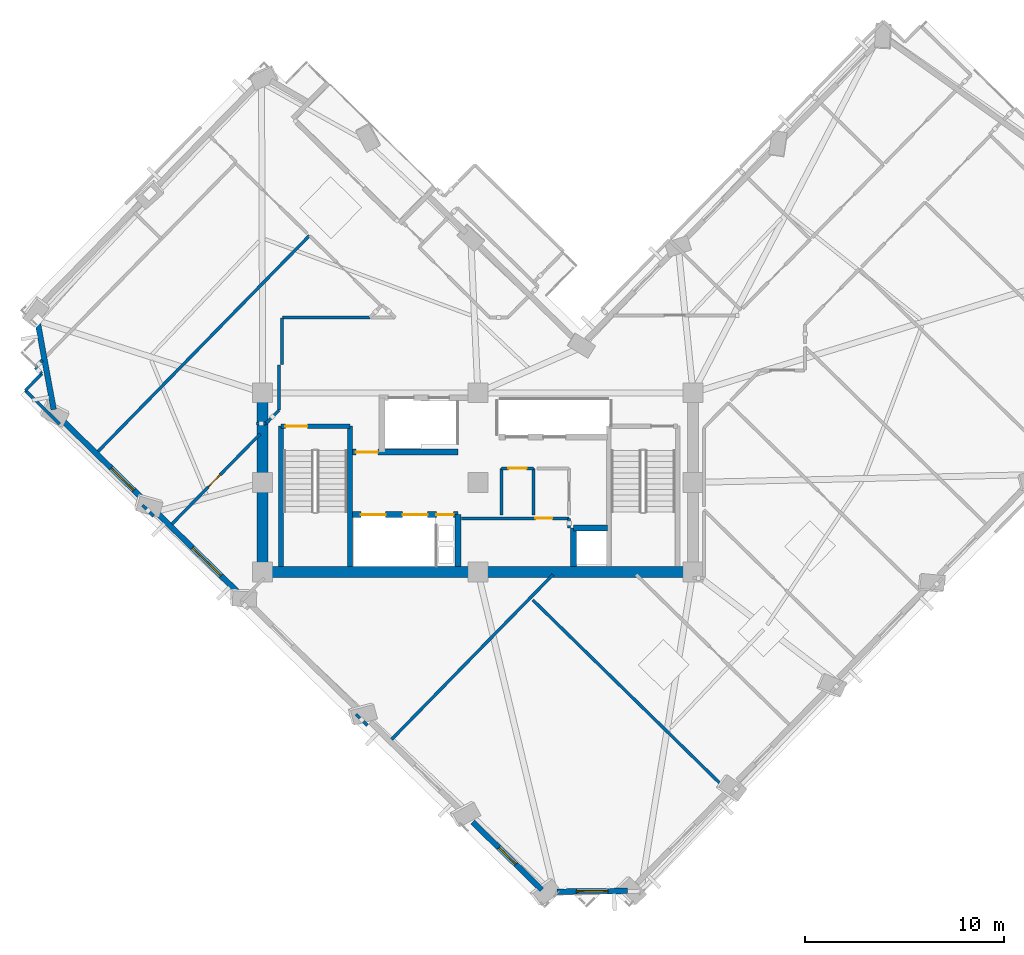
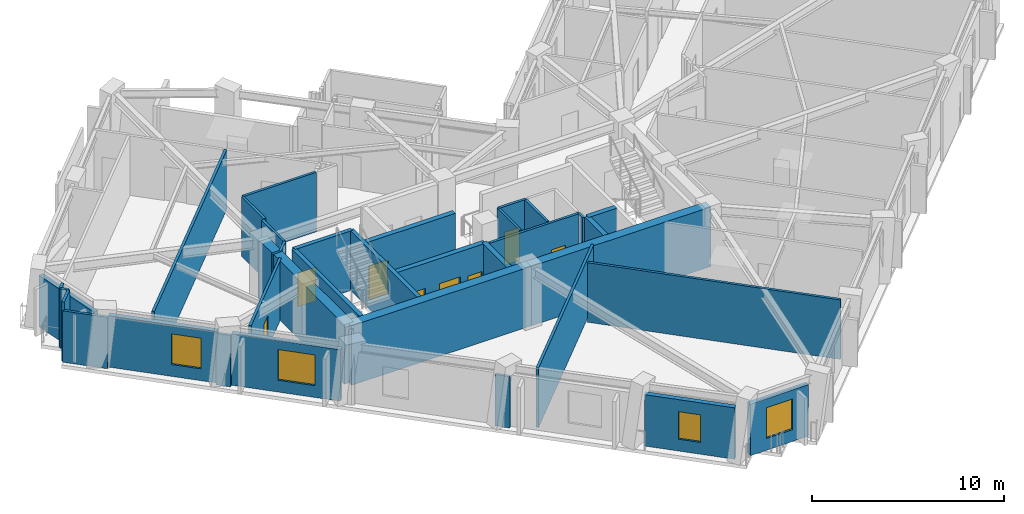
# One storey, part 4 of 12: 36 walls, 8 doors, 4 windows, 12 openings.
"""IFC4 building model written with IfcOpenShell, lengths in metres."""

from ifc_helpers import new_model, si_unit, direction, frame, frame_2d, origin, place, context, subcontext, project, spatial, rectangle, extrude, material, layer, layer_set, type_object, element, fill, save


model = new_model("IFC4")

# Units and contexts
model_context = context("Model", 3, precision=1e-05, world=origin(), true_north=direction((0.0, 1.0)))
body_context = subcontext(model_context, "Body", "Model", "MODEL_VIEW")
ifc_project = project(units=[si_unit("LENGTHUNIT", "METRE"), si_unit("AREAUNIT", "SQUARE_METRE"), si_unit("VOLUMEUNIT", "CUBIC_METRE"), si_unit("PLANEANGLEUNIT", "RADIAN"), si_unit("MASSUNIT", "GRAM", prefix="KILO")], contexts=[model_context])

# Site, building, storey
site_placement = place(None, origin())
site = spatial("IfcSite", under=ifc_project, at=site_placement, CompositionType="ELEMENT")
building_placement = place(site_placement, origin())
building = spatial("IfcBuilding", under=site, at=building_placement, Name="Gaonmaruhae Medical Tower", CompositionType="ELEMENT")
storey_placement = place(building_placement, frame((0.0, 0.0, 219.199951171875)))
storey = spatial("IfcBuildingStorey", under=building, at=storey_placement, Name="L52", CompositionType="ELEMENT", Elevation=219.199951171875)

# Walls
ifc_material_1 = material(Name="Concrete C50/60", Category="concrete")
ifc_layer_1 = layer(ifc_material_1, 0.550048828125)
ifc_layer_set_1 = layer_set([ifc_layer_1], Name="Concrete C50/60")
wall_type_1 = type_object("IfcWallType", Name="CW-550 Mid-High Core Shear Wall", PredefinedType="SHEAR", material=ifc_layer_set_1)
for number, where, z_axis, x_axis, name in (
    (1, (14.0, 7.800048828125, 0.0), (0.0, 0.0, 1.0), (1.0, 0.0, 0.0), "L52 Core Shear Wall CSW-S1"),
    (2, (24.800048828125, 7.800048828125, 0.0), (0.0, 0.0, 1.0), (1.0, 0.0, 0.0), "L52 Core Shear Wall CSW-S2"),
):
    element("IfcWall", number, at=place(storey_placement, frame(where, z_axis=z_axis, x_axis=x_axis)), inside=storey, type_object=wall_type_1, Name=name, PredefinedType="SHEAR", context=body_context, shape_type="SweptSolid", body=[
        extrude(rectangle(XDim=10.800048828125, YDim=0.550048828125, at=frame_2d((5.39990234375, 0.0))), origin(), (0.0, 0.0, 1.0), 3.780029296875),
    ])
wall_1_placement = place(storey_placement, frame((14.0, 16.800048828125, 0.0), z_axis=(0.0, 0.0, 1.0), x_axis=(0.0, -1.0, 0.0)))
element("IfcWall", 3, at=wall_1_placement, inside=storey, type_object=wall_type_1, Name="L52 Core Shear Wall CSW-W1", PredefinedType="SHEAR", context=body_context, shape_type="SweptSolid", body=[
    extrude(rectangle(XDim=9.0, YDim=0.550048828125, at=frame_2d((4.5, 0.0))), origin(), (0.0, 0.0, 1.0), 3.780029296875),
])
ifc_material_2 = material(Name="Precast concrete C45/55", Category="concrete")
ifc_layer_2 = layer(ifc_material_2, 0.280029296875)
ifc_layer_set_2 = layer_set([ifc_layer_2], Name="Precast concrete C45/55")
wall_type_2 = type_object("IfcWallType", Name="EW-280 Upper Precast Masonry-Frame Facade Wall", PredefinedType="SOLIDWALL", material=ifc_layer_set_2)
wall_2_placement = place(storey_placement, frame((3.509521484375, 15.95849609375, 0.0), z_axis=(0.0, 0.0, 1.0), x_axis=(-0.180230519559, 0.983624399768, 0.0)))
element("IfcWall", 4, at=wall_2_placement, inside=storey, type_object=wall_type_2, Name="L52 Precast Masonry-Frame Wall N03-W01", PredefinedType="SOLIDWALL", context=body_context, shape_type="SweptSolid", body=[
    extrude(rectangle(XDim=4.407958984375, YDim=0.280029296875, at=frame_2d((2.2041015625, 0.0))), origin(), (0.0, 0.0, 1.0), 3.26513671875),
])

# Wall, opening, window
wall_3_placement = place(storey_placement, frame((8.133056640625, 11.319091796875, 0.0), z_axis=(0.0, 0.0, 1.0), x_axis=(-0.714479464063, 0.699656412414, 0.0)))
wall_3 = element("IfcWall", 5, at=wall_3_placement, inside=storey, type_object=wall_type_2, Name="L52 Precast Masonry-Frame Wall W01-W02", PredefinedType="SOLIDWALL", context=body_context, shape_type="SweptSolid", body=[
    extrude(rectangle(XDim=5.83056640625, YDim=0.280029296875, at=frame_2d((2.915283203125, 0.0))), origin(), (0.0, 0.0, 1.0), 3.26513671875),
])
opening_1_placement = place(wall_3_placement, frame((0.840087890625, 0.0, 0.75)))
opening_1 = element("IfcOpeningElement", 6, at=opening_1_placement, cuts=wall_3, Name="Opening WN-01", PredefinedType="OPENING", context=body_context, shape_type="SweptSolid", body=[
    extrude(rectangle(XDim=1.60009765625, YDim=1.949951171875, at=frame_2d((0.800048828125, 0.97509765625))), frame((0.0, 0.14990234375, 0.0), z_axis=(0.0, -1.0, 0.0), x_axis=(1.0, 0.0, 0.0)), (0.0, 0.0, 1.0), 0.300048828125),
])
ifc_material_3 = material(Name="Anodised aluminium and Low-E double glazing", Category="aluminium")
window_type_1 = type_object("IfcWindowType", Name="WN-01 Ward Punched Acoustic Window 1600x1950", PartitioningType="SINGLE_PANEL", PredefinedType="WINDOW", material=ifc_material_3)
window_1_placement = place(opening_1_placement, origin())
window_1 = element("IfcWindow", 7, at=window_1_placement, inside=storey, type_object=window_type_1, Name="L52 Modular Facade Window W01", OverallHeight=1.949951171875, OverallWidth=1.60009765625, PartitioningType="SINGLE_PANEL", PredefinedType="WINDOW", context=body_context, shape_type="SweptSolid", body=[
    extrude(rectangle(XDim=1.60009765625, YDim=1.949951171875, at=frame_2d((0.800048828125, 0.97509765625))), frame((0.0, 0.030029296875, 0.0), z_axis=(0.0, -1.0, 0.0), x_axis=(1.0, 0.0, 0.0)), (0.0, 0.0, 1.0), 0.06005859375),
])
fill(opening_1, window_1)

wall_4_placement = place(storey_placement, frame((12.8798828125, 6.670654296875, 0.0), z_axis=(0.0, 0.0, 1.0), x_axis=(-0.714482661458, 0.699653147263, 0.0)))
wall_4 = element("IfcWall", 8, at=wall_4_placement, inside=storey, type_object=wall_type_2, Name="L52 Precast Masonry-Frame Wall W02-W03", PredefinedType="SOLIDWALL", context=body_context, shape_type="SweptSolid", body=[
    extrude(rectangle(XDim=5.86083984375, YDim=0.280029296875, at=frame_2d((2.930419921875, 0.0))), origin(), (0.0, 0.0, 1.0), 3.26513671875),
])
opening_2_placement = place(wall_4_placement, frame((1.3603515625, 0.0, 0.75)))
opening_2 = element("IfcOpeningElement", 9, at=opening_2_placement, cuts=wall_4, Name="Opening WN-02", PredefinedType="OPENING", context=body_context, shape_type="SweptSolid", body=[
    extrude(rectangle(XDim=2.0, YDim=1.949951171875, at=frame_2d((1.0, 0.97509765625))), frame((0.0, 0.14990234375, 0.0), z_axis=(0.0, -1.0, 0.0), x_axis=(1.0, 0.0, 0.0)), (0.0, 0.0, 1.0), 0.300048828125),
])
window_type_2 = type_object("IfcWindowType", Name="WN-02 Double-Bed Ward Punched Window 2000x1950", PartitioningType="SINGLE_PANEL", PredefinedType="WINDOW", material=ifc_material_3)
window_2_placement = place(opening_2_placement, origin())
window_2 = element("IfcWindow", 10, at=window_2_placement, inside=storey, type_object=window_type_2, Name="L52 Modular Facade Window W02", OverallHeight=1.949951171875, OverallWidth=2.0, PartitioningType="SINGLE_PANEL", PredefinedType="WINDOW", context=body_context, shape_type="SweptSolid", body=[
    extrude(rectangle(XDim=2.0, YDim=1.949951171875, at=frame_2d((1.0, 0.97509765625))), frame((0.0, 0.030029296875, 0.0), z_axis=(0.0, -1.0, 0.0), x_axis=(1.0, 0.0, 0.0)), (0.0, 0.0, 1.0), 0.06005859375),
])
fill(opening_2, window_2)

wall_5_placement = place(storey_placement, frame((28.01416015625, -8.14990234375, 0.0), z_axis=(0.0, 0.0, 1.0), x_axis=(-0.714484244096, 0.699651531077, 0.0)))
wall_5 = element("IfcWall", 11, at=wall_5_placement, inside=storey, type_object=wall_type_2, Name="L52 Precast Masonry-Frame Wall W05-W06", PredefinedType="SOLIDWALL", context=body_context, shape_type="SweptSolid", body=[
    extrude(rectangle(XDim=4.85546875, YDim=0.280029296875, at=frame_2d((2.427734375, 0.0))), origin(), (0.0, 0.0, 1.0), 3.26513671875),
])
opening_3_placement = place(wall_5_placement, frame((1.83251953125, 0.0, 0.75)))
opening_3 = element("IfcOpeningElement", 12, at=opening_3_placement, cuts=wall_5, Name="Opening WN-05", PredefinedType="OPENING", context=body_context, shape_type="SweptSolid", body=[
    extrude(rectangle(XDim=1.199951171875, YDim=1.75, at=frame_2d((0.60009765625, 0.875))), frame((0.0, 0.14990234375, 0.0), z_axis=(0.0, -1.0, 0.0), x_axis=(1.0, 0.0, 0.0)), (0.0, 0.0, 1.0), 0.300048828125),
])
window_type_3 = type_object("IfcWindowType", Name="WN-05 Support & Staff Punched Window 1200x1750", PartitioningType="SINGLE_PANEL", PredefinedType="WINDOW", material=ifc_material_3)
window_3_placement = place(opening_3_placement, origin())
window_3 = element("IfcWindow", 13, at=window_3_placement, inside=storey, type_object=window_type_3, Name="L52 Modular Facade Window W05", OverallHeight=1.75, OverallWidth=1.199951171875, PartitioningType="SINGLE_PANEL", PredefinedType="WINDOW", context=body_context, shape_type="SweptSolid", body=[
    extrude(rectangle(XDim=1.199951171875, YDim=1.75, at=frame_2d((0.60009765625, 0.875))), frame((0.0, 0.030029296875, 0.0), z_axis=(0.0, -1.0, 0.0), x_axis=(1.0, 0.0, 0.0)), (0.0, 0.0, 1.0), 0.06005859375),
])
fill(opening_3, window_3)

wall_6_placement = place(storey_placement, frame((32.301513671875, -8.201904296875, 0.0), z_axis=(0.0, 0.0, 1.0), x_axis=(-0.99994518525, -0.010470267178, 0.0)))
wall_6 = element("IfcWall", 14, at=wall_6_placement, inside=storey, type_object=wall_type_2, Name="L52 Precast Masonry-Frame Wall W06-S01", PredefinedType="SOLIDWALL", context=body_context, shape_type="SweptSolid", body=[
    extrude(rectangle(XDim=3.52099609375, YDim=0.280029296875, at=frame_2d((1.760498046875, 0.0))), origin(), (0.0, 0.0, 1.0), 3.26513671875),
])
opening_4_placement = place(wall_6_placement, frame((0.959716796875, 0.0, 0.75)))
opening_4 = element("IfcOpeningElement", 15, at=opening_4_placement, cuts=wall_6, Name="Opening WN-01", PredefinedType="OPENING", context=body_context, shape_type="SweptSolid", body=[
    extrude(rectangle(XDim=1.60009765625, YDim=1.949951171875, at=frame_2d((0.800048828125, 0.97509765625))), frame((0.0, 0.14990234375, 0.0), z_axis=(0.0, -1.0, 0.0), x_axis=(1.0, 0.0, 0.0)), (0.0, 0.0, 1.0), 0.300048828125),
])
window_4_placement = place(opening_4_placement, origin())
window_4 = element("IfcWindow", 16, at=window_4_placement, inside=storey, type_object=window_type_1, Name="L52 Modular Facade Window W06", OverallHeight=1.949951171875, OverallWidth=1.60009765625, PartitioningType="SINGLE_PANEL", PredefinedType="WINDOW", context=body_context, shape_type="SweptSolid", body=[
    extrude(rectangle(XDim=1.60009765625, YDim=1.949951171875, at=frame_2d((0.800048828125, 0.97509765625))), frame((0.0, 0.030029296875, 0.0), z_axis=(0.0, -1.0, 0.0), x_axis=(1.0, 0.0, 0.0)), (0.0, 0.0, 1.0), 0.06005859375),
])
fill(opening_4, window_4)

# Wall, opening, door
ifc_material_4 = material(Name="Gypsum board partition", Category="gypsum")
ifc_layer_3 = layer(ifc_material_4, 0.14990234375)
ifc_layer_set_3 = layer_set([ifc_layer_3], Name="Gypsum board partition")
wall_type_3 = type_object("IfcWallType", Name="PW-150 Rated Clinical Corridor Partition", PredefinedType="PARTITIONING", material=ifc_layer_set_3)
wall_7_placement = place(storey_placement, frame((23.97998046875, 10.5, 0.0), z_axis=(0.0, 0.0, 1.0), x_axis=(1.0, 0.0, 0.0)))
wall_7 = element("IfcWall", 17, at=wall_7_placement, inside=storey, type_object=wall_type_3, Name="L52 Interior Partition L52-RCL1-1", PredefinedType="PARTITIONING", context=body_context, shape_type="SweptSolid", body=[
    extrude(rectangle(XDim=5.39990234375, YDim=0.14990234375, at=frame_2d((2.699951171875, 0.0))), origin(), (0.0, 0.0, 1.0), 3.780029296875),
])
opening_5_placement = place(wall_7_placement, frame((3.702880859375, 0.0, 0.0)))
opening_5 = element("IfcOpeningElement", 18, at=opening_5_placement, cuts=wall_7, Name="Opening AD-01", PredefinedType="OPENING", context=body_context, shape_type="SweptSolid", body=[
    extrude(rectangle(XDim=0.860107421875, YDim=2.06005859375, at=frame_2d((0.43017578125, 1.030029296875))), frame((0.0, 0.0849609375, 0.0), z_axis=(0.0, -1.0, 0.0), x_axis=(1.0, 0.0, 0.0)), (0.0, 0.0, 1.0), 0.169921875),
])
ifc_material_5 = material(Name="Powder-coated steel access door", Category="steel")
door_type_1 = type_object("IfcDoorType", Name="AD-01 Riser & Closet Access Fire Door 860x2060", OperationType="NOTDEFINED", PredefinedType="DOOR", material=ifc_material_5)
door_1_placement = place(opening_5_placement, origin())
door_1 = element("IfcDoor", 19, at=door_1_placement, inside=storey, type_object=door_type_1, Name="L52 Biomedical Infusion Preparation Room Sliding Door", OperationType="SLIDING_TO_LEFT", OverallHeight=2.06005859375, OverallWidth=0.860107421875, PredefinedType="DOOR", context=body_context, shape_type="SweptSolid", body=[
    extrude(rectangle(XDim=0.860107421875, YDim=2.06005859375, at=frame_2d((0.43017578125, 1.030029296875))), frame((0.0, 0.02490234375, 0.0), z_axis=(0.0, -1.0, 0.0), x_axis=(1.0, 0.0, 0.0)), (0.0, 0.0, 1.0), 0.050048828125),
])
fill(opening_5, door_1)

# Walls
wall_8_placement = place(storey_placement, frame((29.3798828125, 10.5, 0.0), z_axis=(0.0, 0.0, 1.0), x_axis=(0.0, -1.0, 0.0)))
element("IfcWall", 20, at=wall_8_placement, inside=storey, type_object=wall_type_3, Name="L52 Interior Partition L52-RCL1-2", PredefinedType="PARTITIONING", context=body_context, shape_type="SweptSolid", body=[
    extrude(rectangle(XDim=0.47998046875, YDim=0.14990234375, at=frame_2d((0.239990234375, 0.0))), origin(), (0.0, 0.0, 1.0), 3.780029296875),
])
wall_9_placement = place(storey_placement, frame((25.97998046875, 10.659912109375, 0.0), z_axis=(0.0, 0.0, 1.0), x_axis=(0.0, 1.0, 0.0)))
element("IfcWall", 21, at=wall_9_placement, inside=storey, type_object=wall_type_3, Name="L52 Interior Partition L52-CS1-3", PredefinedType="PARTITIONING", context=body_context, shape_type="SweptSolid", body=[
    extrude(rectangle(XDim=2.340087890625, YDim=0.14990234375, at=frame_2d((1.169921875, 0.0))), origin(), (0.0, 0.0, 1.0), 3.780029296875),
])

# Wall, opening, door
wall_10_placement = place(storey_placement, frame((25.97998046875, 13.0, 0.0), z_axis=(0.0, 0.0, 1.0), x_axis=(1.0, 0.0, 0.0)))
wall_10 = element("IfcWall", 22, at=wall_10_placement, inside=storey, type_object=wall_type_3, Name="L52 Interior Partition L52-CS1-4", PredefinedType="PARTITIONING", context=body_context, shape_type="SweptSolid", body=[
    extrude(rectangle(XDim=1.6201171875, YDim=0.14990234375, at=frame_2d((0.81005859375, 0.0))), origin(), (0.0, 0.0, 1.0), 3.780029296875),
])
opening_6_placement = place(wall_10_placement, frame((0.35009765625, 0.0, 0.0)))
opening_6 = element("IfcOpeningElement", 23, at=opening_6_placement, cuts=wall_10, Name="Opening UD-01", PredefinedType="OPENING", context=body_context, shape_type="SweptSolid", body=[
    extrude(rectangle(XDim=0.919921875, YDim=2.10009765625, at=frame_2d((0.4599609375, 1.050048828125))), frame((0.0, 0.0849609375, 0.0), z_axis=(0.0, -1.0, 0.0), x_axis=(1.0, 0.0, 0.0)), (0.0, 0.0, 1.0), 0.169921875),
])
ifc_material_6 = material(Name="Powder-coated steel utility door", Category="steel")
door_type_2 = type_object("IfcDoorType", Name="UD-01 Toilet, Utility & Housekeeping Door 920x2100", OperationType="NOTDEFINED", PredefinedType="DOOR", material=ifc_material_6)
door_2_placement = place(opening_6_placement, origin())
door_2 = element("IfcDoor", 24, at=door_2_placement, inside=storey, type_object=door_type_2, Name="L52 Accessible Staff Toilet Door", OperationType="SINGLE_SWING_RIGHT", OverallHeight=2.10009765625, OverallWidth=0.919921875, PredefinedType="DOOR", context=body_context, shape_type="SweptSolid", body=[
    extrude(rectangle(XDim=0.919921875, YDim=2.10009765625, at=frame_2d((0.4599609375, 1.050048828125))), frame((0.0, 0.02490234375, 0.0), z_axis=(0.0, -1.0, 0.0), x_axis=(1.0, 0.0, 0.0)), (0.0, 0.0, 1.0), 0.050048828125),
])
fill(opening_6, door_2)

# Walls
wall_11_placement = place(storey_placement, frame((27.60009765625, 13.0, 0.0), z_axis=(0.0, 0.0, 1.0), x_axis=(0.0, -1.0, 0.0)))
element("IfcWall", 25, at=wall_11_placement, inside=storey, type_object=wall_type_3, Name="L52 Interior Partition L52-CS1-5", PredefinedType="PARTITIONING", context=body_context, shape_type="SweptSolid", body=[
    extrude(rectangle(XDim=2.340087890625, YDim=0.14990234375, at=frame_2d((1.169921875, 0.0))), origin(), (0.0, 0.0, 1.0), 3.780029296875),
])
wall_12_placement = place(storey_placement, frame((37.259033203125, -3.10107421875, 0.0), z_axis=(0.0, 0.0, 1.0), x_axis=(-0.714463260908, 0.699672958469, 0.0)))
element("IfcWall", 26, at=wall_12_placement, inside=storey, type_object=wall_type_3, Name="L52 Interior Partition L52-SUP03-9", PredefinedType="PARTITIONING", context=body_context, shape_type="SweptSolid", body=[
    extrude(rectangle(XDim=13.585205078125, YDim=0.14990234375, at=frame_2d((6.79248046875, 0.0))), origin(), (0.0, 0.0, 1.0), 3.780029296875),
])
wall_13_placement = place(storey_placement, frame((19.25, 0.111083984375, 0.0), z_axis=(0.0, 0.0, 1.0), x_axis=(-0.714658877376, 0.699473151013, 0.0)))
element("IfcWall", 27, at=wall_13_placement, inside=storey, type_object=wall_type_3, Name="L52 Interior Partition L52-WOF10-36", PredefinedType="PARTITIONING", context=body_context, shape_type="SweptSolid", body=[
    extrude(rectangle(XDim=0.787841796875, YDim=0.14990234375, at=frame_2d((0.39404296875, 0.0))), origin(), (0.0, 0.0, 1.0), 3.26513671875),
])
wall_14_placement = place(storey_placement, frame((28.572998046875, 7.675048828125, 0.0), z_axis=(0.0, 0.0, 1.0), x_axis=(-0.699638018891, -0.714497475519, 0.0)))
element("IfcWall", 28, at=wall_14_placement, inside=storey, type_object=wall_type_3, Name="L52 Interior Partition L52-WOF10-38", PredefinedType="PARTITIONING", context=body_context, shape_type="SweptSolid", body=[
    extrude(rectangle(XDim=11.583251953125, YDim=0.14990234375, at=frame_2d((5.79150390625, 0.0))), origin(), (0.0, 0.0, 1.0), 3.780029296875),
])

# Wall, opening, door
wall_15_placement = place(storey_placement, frame((9.43798828125, 10.202880859375, 0.0), z_axis=(0.0, 0.0, 1.0), x_axis=(0.699657139169, 0.714478752385, 0.0)))
wall_15 = element("IfcWall", 29, at=wall_15_placement, inside=storey, type_object=wall_type_3, Name="L52 Interior Partition L52-WOF12-41", PredefinedType="PARTITIONING", context=body_context, shape_type="SweptSolid", body=[
    extrude(rectangle(XDim=6.341796875, YDim=0.14990234375, at=frame_2d((3.1708984375, 0.0))), origin(), (0.0, 0.0, 1.0), 3.780029296875),
])
opening_7_placement = place(wall_15_placement, frame((2.61572265625, 0.0, 0.0)))
opening_7 = element("IfcOpeningElement", 30, at=opening_7_placement, cuts=wall_15, Name="Opening AD-01", PredefinedType="OPENING", context=body_context, shape_type="SweptSolid", body=[
    extrude(rectangle(XDim=0.860107421875, YDim=2.06005859375, at=frame_2d((0.43017578125, 1.030029296875))), frame((0.0, 0.0849609375, 0.0), z_axis=(0.0, -1.0, 0.0), x_axis=(1.0, 0.0, 0.0)), (0.0, 0.0, 1.0), 0.169921875),
])
door_3_placement = place(opening_7_placement, origin())
door_3 = element("IfcDoor", 31, at=door_3_placement, inside=storey, type_object=door_type_1, Name="L52 Ward Physician Reporting Office Sliding Door", OperationType="SLIDING_TO_LEFT", OverallHeight=2.06005859375, OverallWidth=0.860107421875, PredefinedType="DOOR", context=body_context, shape_type="SweptSolid", body=[
    extrude(rectangle(XDim=0.860107421875, YDim=2.06005859375, at=frame_2d((0.43017578125, 1.030029296875))), frame((0.0, 0.02490234375, 0.0), z_axis=(0.0, -1.0, 0.0), x_axis=(1.0, 0.0, 0.0)), (0.0, 0.0, 1.0), 0.050048828125),
])
fill(opening_7, door_3)

# Walls
wall_16_placement = place(storey_placement, frame((14.969970703125, 20.550048828125, 0.0), z_axis=(0.0, 0.0, 1.0), x_axis=(0.0, -1.0, 0.0)))
element("IfcWall", 32, at=wall_16_placement, inside=storey, type_object=wall_type_3, Name="L52 Interior Partition L52-WOF13-42", PredefinedType="PARTITIONING", context=body_context, shape_type="SweptSolid", body=[
    extrude(rectangle(XDim=2.320068359375, YDim=0.14990234375, at=frame_2d((1.16015625, 0.0))), origin(), (0.0, 0.0, 1.0), 3.780029296875),
])
wall_17_placement = place(storey_placement, frame((14.820068359375, 18.199951171875, 0.0), z_axis=(0.0, 0.0, 1.0), x_axis=(0.0, -1.0, 0.0)))
element("IfcWall", 33, at=wall_17_placement, inside=storey, type_object=wall_type_3, Name="L52 Interior Partition L52-WOF13-43", PredefinedType="PARTITIONING", context=body_context, shape_type="SweptSolid", body=[
    extrude(rectangle(XDim=2.27294921875, YDim=0.14990234375, at=frame_2d((1.136474609375, 0.0))), origin(), (0.0, 0.0, 1.0), 3.780029296875),
])
wall_18_placement = place(storey_placement, frame((14.820068359375, 15.927001953125, 0.0), z_axis=(0.0, 0.0, 1.0), x_axis=(-0.700147182602, -0.713998545303, 0.0)))
element("IfcWall", 34, at=wall_18_placement, inside=storey, type_object=wall_type_3, Name="L52 Interior Partition L52-WOF13-44", PredefinedType="PARTITIONING", context=body_context, shape_type="SweptSolid", body=[
    extrude(rectangle(XDim=0.93408203125, YDim=0.14990234375, at=frame_2d((0.467041015625, 0.0))), origin(), (0.0, 0.0, 1.0), 3.780029296875),
])
wall_19_placement = place(storey_placement, frame((14.166015625, 15.260009765625, 0.0), z_axis=(0.0, 0.0, 1.0), x_axis=(-1.0, 0.0, 0.0)))
element("IfcWall", 35, at=wall_19_placement, inside=storey, type_object=wall_type_3, Name="L52 Interior Partition L52-WOF13-45", PredefinedType="PARTITIONING", context=body_context, shape_type="SweptSolid", body=[
    extrude(rectangle(XDim=0.466064453125, YDim=0.14990234375, at=frame_2d((0.23291015625, 0.0))), origin(), (0.0, 0.0, 1.0), 3.780029296875),
])
wall_20_placement = place(storey_placement, frame((8.531982421875, 10.60693359375, 0.0), z_axis=(0.0, 0.0, 1.0), x_axis=(-0.714698587823, 0.699432576139, 0.0)))
element("IfcWall", 36, at=wall_20_placement, inside=storey, type_object=wall_type_3, Name="L52 Interior Partition L52-WOF13-46", PredefinedType="PARTITIONING", context=body_context, shape_type="SweptSolid", body=[
    extrude(rectangle(XDim=0.78369140625, YDim=0.14990234375, at=frame_2d((0.391845703125, 0.0))), origin(), (0.0, 0.0, 1.0), 3.26513671875),
])
wall_21_placement = place(storey_placement, frame((5.722900390625, 13.841064453125, 0.0), z_axis=(0.0, 0.0, 1.0), x_axis=(0.69966395239, 0.714472080438, 0.0)))
element("IfcWall", 37, at=wall_21_placement, inside=storey, type_object=wall_type_3, Name="L52 Interior Partition L52-WOF13-47", PredefinedType="PARTITIONING", context=body_context, shape_type="SweptSolid", body=[
    extrude(rectangle(XDim=15.1845703125, YDim=0.14990234375, at=frame_2d((7.59228515625, 0.0))), origin(), (0.0, 0.0, 1.0), 3.780029296875),
])
wall_22_placement = place(storey_placement, frame((19.3759765625, 20.580078125, 0.0), z_axis=(0.0, 0.0, 1.0), x_axis=(-1.0, 0.0, 0.0)))
element("IfcWall", 38, at=wall_22_placement, inside=storey, type_object=wall_type_3, Name="L52 Interior Partition L52-WOF13-50", PredefinedType="PARTITIONING", context=body_context, shape_type="SweptSolid", body=[
    extrude(rectangle(XDim=4.37890625, YDim=0.14990234375, at=frame_2d((2.189453125, 0.0))), origin(), (0.0, 0.0, 1.0), 3.780029296875),
])
wall_23_placement = place(storey_placement, frame((2.591064453125, 18.075927734375, 0.0), z_axis=(0.0, 0.0, 1.0), x_axis=(0.698967159118, 0.715153767014, 0.0)))
element("IfcWall", 39, at=wall_23_placement, inside=storey, type_object=wall_type_3, Name="L52 Interior Partition L52-WOF14-51", PredefinedType="PARTITIONING", context=body_context, shape_type="SweptSolid", body=[
    extrude(rectangle(XDim=0.497802734375, YDim=0.14990234375, at=frame_2d((0.2490234375, 0.0))), origin(), (0.0, 0.0, 1.0), 3.780029296875),
])
wall_24_placement = place(storey_placement, frame((3.806884765625, 15.23388671875, 0.0), z_axis=(0.0, 0.0, 1.0), x_axis=(-0.714522045157, 0.699612926542, 0.0)))
element("IfcWall", 40, at=wall_24_placement, inside=storey, type_object=wall_type_3, Name="L52 Interior Partition L52-WOF14-54", PredefinedType="PARTITIONING", context=body_context, shape_type="SweptSolid", body=[
    extrude(rectangle(XDim=2.4072265625, YDim=0.14990234375, at=frame_2d((1.20361328125, 0.0))), origin(), (0.0, 0.0, 1.0), 3.26513671875),
])
wall_25_placement = place(storey_placement, frame((2.0869140625, 16.91796875, 0.0), z_axis=(0.0, 0.0, 1.0), x_axis=(0.699934912772, 0.714206635284, 0.0)))
element("IfcWall", 41, at=wall_25_placement, inside=storey, type_object=wall_type_3, Name="L52 Interior Partition L52-WOF14-55", PredefinedType="PARTITIONING", context=body_context, shape_type="SweptSolid", body=[
    extrude(rectangle(XDim=1.180419921875, YDim=0.14990234375, at=frame_2d((0.59033203125, 0.0))), origin(), (0.0, 0.0, 1.0), 3.780029296875),
])
wall_26_placement = place(storey_placement, frame((2.9130859375, 17.760986328125, 0.0), z_axis=(0.0, 0.0, 1.0), x_axis=(-0.714922371117, 0.699203835285, 0.0)))
element("IfcWall", 42, at=wall_26_placement, inside=storey, type_object=wall_type_3, Name="L52 Interior Partition L52-WOF14-56", PredefinedType="PARTITIONING", context=body_context, shape_type="SweptSolid", body=[
    extrude(rectangle(XDim=0.450439453125, YDim=0.14990234375, at=frame_2d((0.22509765625, 0.0))), origin(), (0.0, 0.0, 1.0), 3.780029296875),
])

# Wall, opening, door
ifc_layer_4 = layer(ifc_material_1, 0.239990234375)
ifc_layer_set_4 = layer_set([ifc_layer_4], Name="Concrete C50/60")
wall_type_4 = type_object("IfcWallType", Name="SW-240 Dogleg Stair Tight Shaft Wall", PredefinedType="SOLIDWALL", material=ifc_layer_set_4)
wall_27_placement = place(storey_placement, frame((14.919921875, 15.1201171875, 0.0), z_axis=(0.0, 0.0, 1.0), x_axis=(1.0, 0.0, 0.0)))
wall_27 = element("IfcWall", 43, at=wall_27_placement, inside=storey, type_object=wall_type_4, Name="L52 ST-01 Stair Shaft Wall SHW-ST-01-N", PredefinedType="SOLIDWALL", context=body_context, shape_type="SweptSolid", body=[
    extrude(rectangle(XDim=3.4599609375, YDim=0.239990234375, at=frame_2d((1.72998046875, 0.0))), origin(), (0.0, 0.0, 1.0), 3.780029296875),
])
opening_8_placement = place(wall_27_placement, frame((0.219970703125, 0.0, 0.0)))
opening_8 = element("IfcOpeningElement", 44, at=opening_8_placement, cuts=wall_27, Name="Opening FD-01", PredefinedType="OPENING", context=body_context, shape_type="SweptSolid", body=[
    extrude(rectangle(XDim=1.10009765625, YDim=2.14990234375, at=frame_2d((0.550048828125, 1.074951171875))), frame((0.0, 0.1298828125, 0.0), z_axis=(0.0, -1.0, 0.0), x_axis=(1.0, 0.0, 0.0)), (0.0, 0.0, 1.0), 0.260009765625),
])
ifc_material_7 = material(Name="Powder-coated steel fire door", Category="steel")
door_type_3 = type_object("IfcDoorType", Name="FD-01 Escape Stair Protected Fire Door 1100x2150", OperationType="NOTDEFINED", PredefinedType="DOOR", material=ifc_material_7)
door_4_placement = place(opening_8_placement, origin())
door_4 = element("IfcDoor", 45, at=door_4_placement, inside=storey, type_object=door_type_3, Name="L52 ST-01 Protected Escape Stair Door", OperationType="SINGLE_SWING_RIGHT", OverallHeight=2.14990234375, OverallWidth=1.10009765625, PredefinedType="DOOR", context=body_context, shape_type="SweptSolid", body=[
    extrude(rectangle(XDim=1.10009765625, YDim=2.14990234375, at=frame_2d((0.550048828125, 1.074951171875))), frame((0.0, 0.02490234375, 0.0), z_axis=(0.0, -1.0, 0.0), x_axis=(1.0, 0.0, 0.0)), (0.0, 0.0, 1.0), 0.050048828125),
])
fill(opening_8, door_4)

# Walls
for number, where, z_axis, x_axis, name in (
    (46, (18.3798828125, 15.1201171875, 0.0), (0.0, 0.0, 1.0), (0.0, -1.0, 0.0), "L52 ST-01 Stair Shaft Wall SHW-ST-01-E"),
    (47, (14.919921875, 8.074951171875, 0.0), (0.0, 0.0, 1.0), (0.0, 1.0, 0.0), "L52 ST-01 Stair Shaft Wall SHW-ST-01-W"),
):
    element("IfcWall", number, at=place(storey_placement, frame(where, z_axis=z_axis, x_axis=x_axis)), inside=storey, type_object=wall_type_4, Name=name, PredefinedType="SOLIDWALL", context=body_context, shape_type="SweptSolid", body=[
        extrude(rectangle(XDim=7.045166015625, YDim=0.239990234375, at=frame_2d((3.5224609375, 0.0))), origin(), (0.0, 0.0, 1.0), 3.780029296875),
    ])

# Wall, openings, doors
ifc_layer_5 = layer(ifc_material_1, 0.300048828125)
ifc_layer_set_5 = layer_set([ifc_layer_5], Name="Concrete C50/60")
wall_type_5 = type_object("IfcWallType", Name="SW-300 Stair & Lift Hoistway Shaft Wall", PredefinedType="SOLIDWALL", material=ifc_layer_set_5)
wall_28_placement = place(storey_placement, frame((18.5, 10.679931640625, 0.0), z_axis=(0.0, 0.0, 1.0), x_axis=(1.0, 0.0, 0.0)))
wall_28 = element("IfcWall", 48, at=wall_28_placement, inside=storey, type_object=wall_type_5, Name="L52 Shaft Enclosure Wall SHW-FFN", PredefinedType="SOLIDWALL", context=body_context, shape_type="SweptSolid", body=[
    extrude(rectangle(XDim=5.300048828125, YDim=0.300048828125, at=frame_2d((2.64990234375, 0.0))), origin(), (0.0, 0.0, 1.0), 3.780029296875),
])
opening_9_placement = place(wall_28_placement, frame((4.219970703125, 0.0, 0.0)))
opening_9 = element("IfcOpeningElement", 49, at=opening_9_placement, cuts=wall_28, Name="Opening AD-01", PredefinedType="OPENING", context=body_context, shape_type="SweptSolid", body=[
    extrude(rectangle(XDim=0.860107421875, YDim=2.06005859375, at=frame_2d((0.43017578125, 1.030029296875))), frame((0.0, 0.16015625, 0.0), z_axis=(0.0, -1.0, 0.0), x_axis=(1.0, 0.0, 0.0)), (0.0, 0.0, 1.0), 0.320068359375),
])
opening_10_placement = place(wall_28_placement, frame((0.425048828125, 0.0, 0.0)))
opening_10 = element("IfcOpeningElement", 50, at=opening_10_placement, cuts=wall_28, Name="Opening LD-F1", PredefinedType="OPENING", context=body_context, shape_type="SweptSolid", body=[
    extrude(rectangle(XDim=1.25, YDim=2.179931640625, at=frame_2d((0.625, 1.08984375))), frame((0.0, 0.16015625, 0.0), z_axis=(0.0, -1.0, 0.0), x_axis=(1.0, 0.0, 0.0)), (0.0, 0.0, 1.0), 0.320068359375),
])
opening_11_placement = place(wall_28_placement, frame((2.52490234375, 0.0, 0.0)))
opening_11 = element("IfcOpeningElement", 51, at=opening_11_placement, cuts=wall_28, Name="Opening LD-F1", PredefinedType="OPENING", context=body_context, shape_type="SweptSolid", body=[
    extrude(rectangle(XDim=1.25, YDim=2.179931640625, at=frame_2d((0.625, 1.08984375))), frame((0.0, 0.16015625, 0.0), z_axis=(0.0, -1.0, 0.0), x_axis=(1.0, 0.0, 0.0)), (0.0, 0.0, 1.0), 0.320068359375),
])
door_5_placement = place(opening_9_placement, origin())
door_5 = element("IfcDoor", 52, at=door_5_placement, inside=storey, type_object=door_type_1, Name="L52 Medical Gas and MEP Riser Access Door", OperationType="SINGLE_SWING_RIGHT", OverallHeight=2.06005859375, OverallWidth=0.860107421875, PredefinedType="DOOR", context=body_context, shape_type="SweptSolid", body=[
    extrude(rectangle(XDim=0.860107421875, YDim=2.06005859375, at=frame_2d((0.43017578125, 1.030029296875))), frame((0.0, 0.02490234375, 0.0), z_axis=(0.0, -1.0, 0.0), x_axis=(1.0, 0.0, 0.0)), (0.0, 0.0, 1.0), 0.050048828125),
])
fill(opening_9, door_5)
ifc_material_8 = material(Name="Brushed stainless steel 316L landing door", Category="steel")
door_type_4 = type_object("IfcDoorType", Name="LD-F1 Firefighting & Bed Lift Sliding Landing Door 1250x2180", OperationType="NOTDEFINED", PredefinedType="DOOR", material=ifc_material_8)
door_6_placement = place(opening_10_placement, origin())
door_6 = element("IfcDoor", 53, at=door_6_placement, inside=storey, type_object=door_type_4, Name="L52 Firefighting Lift Landing Door FFL-01", OperationType="DOUBLE_DOOR_SLIDING", OverallHeight=2.179931640625, OverallWidth=1.25, PredefinedType="DOOR", context=body_context, shape_type="SweptSolid", body=[
    extrude(rectangle(XDim=1.25, YDim=2.179931640625, at=frame_2d((0.625, 1.08984375))), frame((0.0, 0.02490234375, 0.0), z_axis=(0.0, -1.0, 0.0), x_axis=(1.0, 0.0, 0.0)), (0.0, 0.0, 1.0), 0.050048828125),
])
fill(opening_10, door_6)
door_7_placement = place(opening_11_placement, origin())
door_7 = element("IfcDoor", 54, at=door_7_placement, inside=storey, type_object=door_type_4, Name="L52 Firefighting Lift Landing Door FFL-02", OperationType="DOUBLE_DOOR_SLIDING", OverallHeight=2.179931640625, OverallWidth=1.25, PredefinedType="DOOR", context=body_context, shape_type="SweptSolid", body=[
    extrude(rectangle(XDim=1.25, YDim=2.179931640625, at=frame_2d((0.625, 1.08984375))), frame((0.0, 0.02490234375, 0.0), z_axis=(0.0, -1.0, 0.0), x_axis=(1.0, 0.0, 0.0)), (0.0, 0.0, 1.0), 0.050048828125),
])
fill(opening_11, door_7)

# Wall, opening, door
wall_29_placement = place(storey_placement, frame((18.5, 13.820068359375, 0.0), z_axis=(0.0, 0.0, 1.0), x_axis=(1.0, 0.0, 0.0)))
wall_29 = element("IfcWall", 55, at=wall_29_placement, inside=storey, type_object=wall_type_5, Name="L52 Shaft Enclosure Wall SHW-FFL", PredefinedType="SOLIDWALL", context=body_context, shape_type="SweptSolid", body=[
    extrude(rectangle(XDim=5.300048828125, YDim=0.300048828125, at=frame_2d((2.64990234375, 0.0))), origin(), (0.0, 0.0, 1.0), 3.780029296875),
])
opening_12_placement = place(wall_29_placement, frame((0.179931640625, 0.0, 0.0)))
opening_12 = element("IfcOpeningElement", 56, at=opening_12_placement, cuts=wall_29, Name="Opening FD-01", PredefinedType="OPENING", context=body_context, shape_type="SweptSolid", body=[
    extrude(rectangle(XDim=1.10009765625, YDim=2.14990234375, at=frame_2d((0.550048828125, 1.074951171875))), frame((0.0, 0.16015625, 0.0), z_axis=(0.0, -1.0, 0.0), x_axis=(1.0, 0.0, 0.0)), (0.0, 0.0, 1.0), 0.320068359375),
])
door_8_placement = place(opening_12_placement, origin())
door_8 = element("IfcDoor", 57, at=door_8_placement, inside=storey, type_object=door_type_3, Name="L52 Firefighting Lobby Smoke Door", OperationType="SINGLE_SWING_LEFT", OverallHeight=2.14990234375, OverallWidth=1.10009765625, PredefinedType="DOOR", context=body_context, shape_type="SweptSolid", body=[
    extrude(rectangle(XDim=1.10009765625, YDim=2.14990234375, at=frame_2d((0.550048828125, 1.074951171875))), frame((0.0, 0.02490234375, 0.0), z_axis=(0.0, -1.0, 0.0), x_axis=(1.0, 0.0, 0.0)), (0.0, 0.0, 1.0), 0.050048828125),
])
fill(opening_12, door_8)

# Walls
wall_30_placement = place(storey_placement, frame((23.800048828125, 8.074951171875, 0.0), z_axis=(0.0, 0.0, 1.0), x_axis=(0.0, 1.0, 0.0)))
element("IfcWall", 58, at=wall_30_placement, inside=storey, type_object=wall_type_5, Name="L52 Shaft Enclosure Wall SHW-FFE", PredefinedType="SOLIDWALL", context=body_context, shape_type="SweptSolid", body=[
    extrude(rectangle(XDim=2.60498046875, YDim=0.300048828125, at=frame_2d((1.302490234375, 0.0))), origin(), (0.0, 0.0, 1.0), 3.780029296875),
])
wall_31_placement = place(storey_placement, frame((29.60009765625, 10.02001953125, 0.0), z_axis=(0.0, 0.0, 1.0), x_axis=(1.0, 0.0, 0.0)))
element("IfcWall", 59, at=wall_31_placement, inside=storey, type_object=wall_type_5, Name="L52 Shaft Enclosure Wall SHW-PLS", PredefinedType="SOLIDWALL", context=body_context, shape_type="SweptSolid", body=[
    extrude(rectangle(XDim=1.699951171875, YDim=0.300048828125, at=frame_2d((0.85009765625, 0.0))), origin(), (0.0, 0.0, 1.0), 3.780029296875),
])
wall_32_placement = place(storey_placement, frame((29.60009765625, 8.074951171875, 0.0), z_axis=(0.0, 0.0, 1.0), x_axis=(0.0, 1.0, 0.0)))
element("IfcWall", 60, at=wall_32_placement, inside=storey, type_object=wall_type_5, Name="L52 Shaft Enclosure Wall SHW-PLD1", PredefinedType="SOLIDWALL", context=body_context, shape_type="SweptSolid", body=[
    extrude(rectangle(XDim=1.945068359375, YDim=0.300048828125, at=frame_2d((0.97265625, 0.0))), origin(), (0.0, 0.0, 1.0), 3.780029296875),
])

save(model, "model.ifc")
